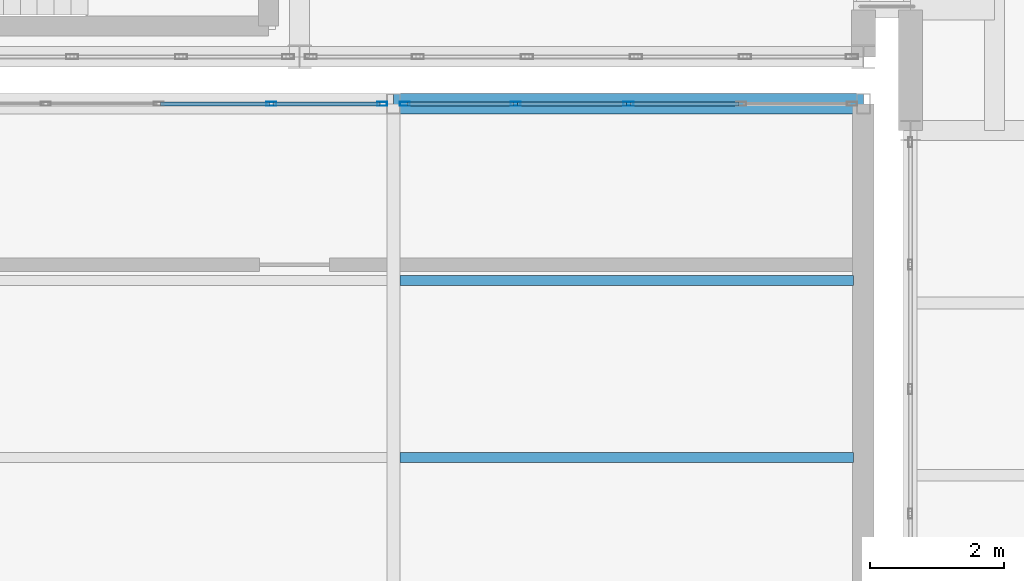
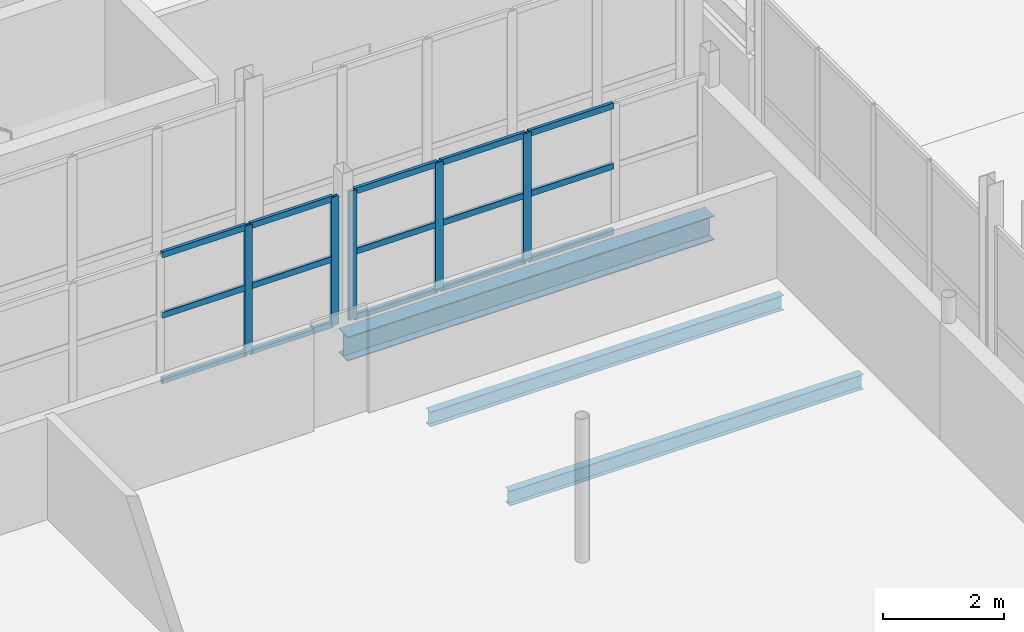
# One storey, part 104 of 218: 20 members, 3 beams, 2 elements without a shape of their own.
"""IFC4 building model written with IfcOpenShell, lengths in metres."""

from ifc_helpers import new_model, si_unit, direction, frame, origin, origin_2d, place, context, subcontext, project, spatial, hollow_rectangle, i_section, extrude, material, material_profile, profile_set, type_object, element, aggregate, save


model = new_model("IFC4")

# Units and contexts
model_context = context("Model", 3, precision=1e-05, world=origin(), true_north=direction((0.0, 1.0)))
body_context = subcontext(model_context, "Body", "Model", "MODEL_VIEW")
ifc_project = project(units=[si_unit("LENGTHUNIT", "METRE"), si_unit("AREAUNIT", "SQUARE_METRE"), si_unit("VOLUMEUNIT", "CUBIC_METRE"), si_unit("PLANEANGLEUNIT", "RADIAN"), si_unit("MASSUNIT", "GRAM", prefix="KILO")], contexts=[model_context])

# Site, building, storey
site_placement = place(None, origin())
site = spatial("IfcSite", under=ifc_project, at=site_placement, CompositionType="ELEMENT")
building_placement = place(site_placement, origin())
building = spatial("IfcBuilding", under=site, at=building_placement, Name="Kazenagashi Tramway Depot", CompositionType="ELEMENT")
storey_placement = place(building_placement, frame((0.0, 0.0, 6.0)))
storey = spatial("IfcBuildingStorey", under=building, at=storey_placement, Name="L02", CompositionType="ELEMENT", Elevation=6.0)

# Beams
ifc_material_1 = material(Name="Steel SN400B", Category="steel")
ifc_material_profile_1 = material_profile(ifc_material_1, i_section(OverallWidth=0.15, OverallDepth=0.3, WebThickness=0.0065, FlangeThickness=0.009, at=origin_2d()), Name="H-300x150x6.5x9")
ifc_profile_set_1 = profile_set([ifc_material_profile_1], Name="Steel SN400B")
beam_type_1 = type_object("IfcBeamType", Name="J-02", PredefinedType="JOIST", material=ifc_profile_set_1)
for number, where, z_axis, x_axis, name in (
    (1, (138.7, 10.533, -0.375), (1.0, 0.0, 0.0), (0.0, 1.0, 0.0), "Beam J-02 BM-1641"),
    (2, (138.7, 13.167, -0.375), (1.0, 0.0, 0.0), (0.0, 1.0, 0.0), "Beam J-02 BM-1642"),
):
    element("IfcBeam", number, at=place(storey_placement, frame(where, z_axis=z_axis, x_axis=x_axis)), inside=storey, type_object=beam_type_1, Name=name, PredefinedType="JOIST", context=body_context, shape_type="SweptSolid", body=[
        extrude(i_section(OverallWidth=0.15, OverallDepth=0.3, WebThickness=0.0065, FlangeThickness=0.009, at=origin_2d()), origin(), (0.0, 0.0, 1.0), 6.75),
    ])

# Curtain wall, members
ifc_material_2 = material(Name="Anodised Aluminium and Low-E Glazing", Category="aluminium")
curtain_wall_type = type_object("IfcCurtainWallType", Name="CW-32", PredefinedType="USERDEFINED", material=ifc_material_2)
curtain_wall_1_placement = place(storey_placement, origin())
curtain_wall_1 = element("IfcCurtainWall", 3, at=curtain_wall_1_placement, inside=storey, type_object=curtain_wall_type, Name="Industrial Glazed Screen CW-32 CW-0178", ObjectType="GLAZED SCREEN", PredefinedType="USERDEFINED")
ifc_material_3 = material(Name="Anodised Aluminium", Category="aluminium")
ifc_material_profile_2 = material_profile(ifc_material_3, hollow_rectangle(XDim=0.06, YDim=0.15, WallThickness=0.004, at=origin_2d()), Name="RHS-150x60x4")
ifc_profile_set_2 = profile_set([ifc_material_profile_2], Name="Anodised Aluminium")
member_type_1 = type_object("IfcMemberType", Name="ML-01", PredefinedType="MULLION", material=ifc_profile_set_2)
member_1_placement = place(storey_placement, frame((136.78, 15.8, 0.0), z_axis=(0.0, 0.0, 1.0), x_axis=(0.0, 1.0, 0.0)))
member_1 = element("IfcMember", 4, at=member_1_placement, type_object=member_type_1, Name="CW-32 mullion 4", PredefinedType="MULLION", context=body_context, shape_type="SweptSolid", body=[
    extrude(hollow_rectangle(XDim=0.06, YDim=0.15, WallThickness=0.004, at=origin_2d()), origin(), (0.0, 0.0, 1.0), 2.6),
])
member_2_placement = place(storey_placement, frame((138.43, 15.8, 0.0), z_axis=(0.0, 0.0, 1.0), x_axis=(0.0, 1.0, 0.0)))
member_2 = element("IfcMember", 5, at=member_2_placement, type_object=member_type_1, Name="CW-32 mullion 5", PredefinedType="MULLION", context=body_context, shape_type="SweptSolid", body=[
    extrude(hollow_rectangle(XDim=0.06, YDim=0.15, WallThickness=0.004, at=origin_2d()), origin(), (0.0, 0.0, 1.0), 2.6),
])

curtain_wall_2_placement = place(storey_placement, origin())
curtain_wall_2 = element("IfcCurtainWall", 6, at=curtain_wall_2_placement, inside=storey, type_object=curtain_wall_type, Name="Industrial Glazed Screen CW-32 CW-0179", ObjectType="GLAZED SCREEN", PredefinedType="USERDEFINED")
member_3_placement = place(storey_placement, frame((138.77, 15.8, 0.0), z_axis=(0.0, 0.0, 1.0), x_axis=(0.0, 1.0, 0.0)))
member_3 = element("IfcMember", 7, at=member_3_placement, type_object=member_type_1, Name="CW-32 mullion 1", PredefinedType="MULLION", context=body_context, shape_type="SweptSolid", body=[
    extrude(hollow_rectangle(XDim=0.06, YDim=0.15, WallThickness=0.004, at=origin_2d()), origin(), (0.0, 0.0, 1.0), 2.6),
])
member_4_placement = place(storey_placement, frame((140.42, 15.8, 0.0), z_axis=(0.0, 0.0, 1.0), x_axis=(0.0, 1.0, 0.0)))
member_4 = element("IfcMember", 8, at=member_4_placement, type_object=member_type_1, Name="CW-32 mullion 2", PredefinedType="MULLION", context=body_context, shape_type="SweptSolid", body=[
    extrude(hollow_rectangle(XDim=0.06, YDim=0.15, WallThickness=0.004, at=origin_2d()), origin(), (0.0, 0.0, 1.0), 2.6),
])
member_5_placement = place(storey_placement, frame((142.1, 15.8, 0.0), z_axis=(0.0, 0.0, 1.0), x_axis=(0.0, 1.0, 0.0)))
member_5 = element("IfcMember", 9, at=member_5_placement, type_object=member_type_1, Name="CW-32 mullion 3", PredefinedType="MULLION", context=body_context, shape_type="SweptSolid", body=[
    extrude(hollow_rectangle(XDim=0.06, YDim=0.15, WallThickness=0.004, at=origin_2d()), origin(), (0.0, 0.0, 1.0), 2.6),
])

# Beam
ifc_material_4 = material(Name="Steel SN490B", Category="steel")
ifc_material_profile_3 = material_profile(ifc_material_4, i_section(OverallWidth=0.3, OverallDepth=0.488, WebThickness=0.011, FlangeThickness=0.018, at=origin_2d()), Name="H-488x300x11x18")
ifc_profile_set_3 = profile_set([ifc_material_profile_3], Name="Steel SN490B")
beam_type_2 = type_object("IfcBeamType", Name="SP-02", PredefinedType="SPANDREL", material=ifc_profile_set_3)
beam_placement = place(storey_placement, frame((138.6, 15.8, -0.469), z_axis=(1.0, 0.0, 0.0), x_axis=(0.0, 1.0, 0.0)))
element("IfcBeam", 10, at=beam_placement, inside=storey, type_object=beam_type_2, Name="Beam SP-02 BM-1607", PredefinedType="SPANDREL", context=body_context, shape_type="SweptSolid", body=[
    extrude(i_section(OverallWidth=0.3, OverallDepth=0.488, WebThickness=0.011, FlangeThickness=0.018, at=origin_2d()), origin(), (0.0, 0.0, 1.0), 7.0),
])

# Member
ifc_material_profile_4 = material_profile(ifc_material_3, hollow_rectangle(XDim=0.06, YDim=0.12, WallThickness=0.004, at=origin_2d()), Name="RHS-120x60x4")
ifc_profile_set_4 = profile_set([ifc_material_profile_4], Name="Anodised Aluminium")
member_type_2 = type_object("IfcMemberType", Name="TR-01", PredefinedType="USERDEFINED", material=ifc_profile_set_4)
member_6_placement = place(storey_placement, frame((135.13, 15.8, 0.03), z_axis=(1.0, 0.0, 0.0), x_axis=(0.0, 1.0, 0.0)))
member_6 = element("IfcMember", 11, at=member_6_placement, type_object=member_type_2, Name="CW-32 transom 3.1", ObjectType="TRANSOM", PredefinedType="USERDEFINED", context=body_context, shape_type="SweptSolid", body=[
    extrude(hollow_rectangle(XDim=0.06, YDim=0.12, WallThickness=0.004, at=origin_2d()), origin(), (0.0, 0.0, 1.0), 1.62),
])

member_7_placement = place(storey_placement, frame((135.13, 15.8, 1.352), z_axis=(1.0, 0.0, 0.0), x_axis=(0.0, 1.0, 0.0)))
member_7 = element("IfcMember", 12, at=member_7_placement, type_object=member_type_2, Name="CW-32 transom 3.2", ObjectType="TRANSOM", PredefinedType="USERDEFINED", context=body_context, shape_type="SweptSolid", body=[
    extrude(hollow_rectangle(XDim=0.06, YDim=0.12, WallThickness=0.004, at=origin_2d()), origin(), (0.0, 0.0, 1.0), 1.62),
])

member_8_placement = place(storey_placement, frame((135.13, 15.8, 2.57), z_axis=(1.0, 0.0, 0.0), x_axis=(0.0, 1.0, 0.0)))
member_8 = element("IfcMember", 13, at=member_8_placement, type_object=member_type_2, Name="CW-32 transom 3.3", ObjectType="TRANSOM", PredefinedType="USERDEFINED", context=body_context, shape_type="SweptSolid", body=[
    extrude(hollow_rectangle(XDim=0.06, YDim=0.12, WallThickness=0.004, at=origin_2d()), origin(), (0.0, 0.0, 1.0), 1.62),
])

member_9_placement = place(storey_placement, frame((136.81, 15.8, 0.03), z_axis=(1.0, 0.0, 0.0), x_axis=(0.0, 1.0, 0.0)))
member_9 = element("IfcMember", 14, at=member_9_placement, type_object=member_type_2, Name="CW-32 transom 4.1", ObjectType="TRANSOM", PredefinedType="USERDEFINED", context=body_context, shape_type="SweptSolid", body=[
    extrude(hollow_rectangle(XDim=0.06, YDim=0.12, WallThickness=0.004, at=origin_2d()), origin(), (0.0, 0.0, 1.0), 1.59),
])

member_10_placement = place(storey_placement, frame((136.81, 15.8, 1.352), z_axis=(1.0, 0.0, 0.0), x_axis=(0.0, 1.0, 0.0)))
member_10 = element("IfcMember", 15, at=member_10_placement, type_object=member_type_2, Name="CW-32 transom 4.2", ObjectType="TRANSOM", PredefinedType="USERDEFINED", context=body_context, shape_type="SweptSolid", body=[
    extrude(hollow_rectangle(XDim=0.06, YDim=0.12, WallThickness=0.004, at=origin_2d()), origin(), (0.0, 0.0, 1.0), 1.59),
])

member_11_placement = place(storey_placement, frame((136.81, 15.8, 2.57), z_axis=(1.0, 0.0, 0.0), x_axis=(0.0, 1.0, 0.0)))
member_11 = element("IfcMember", 16, at=member_11_placement, type_object=member_type_2, Name="CW-32 transom 4.3", ObjectType="TRANSOM", PredefinedType="USERDEFINED", context=body_context, shape_type="SweptSolid", body=[
    extrude(hollow_rectangle(XDim=0.06, YDim=0.12, WallThickness=0.004, at=origin_2d()), origin(), (0.0, 0.0, 1.0), 1.59),
])

aggregate(curtain_wall_1, [member_1, member_2, member_6, member_7, member_8, member_9, member_10, member_11])

member_12_placement = place(storey_placement, frame((138.8, 15.8, 0.03), z_axis=(1.0, 0.0, 0.0), x_axis=(0.0, 1.0, 0.0)))
member_12 = element("IfcMember", 17, at=member_12_placement, type_object=member_type_2, Name="CW-32 transom 1.1", ObjectType="TRANSOM", PredefinedType="USERDEFINED", context=body_context, shape_type="SweptSolid", body=[
    extrude(hollow_rectangle(XDim=0.06, YDim=0.12, WallThickness=0.004, at=origin_2d()), origin(), (0.0, 0.0, 1.0), 1.59),
])

member_13_placement = place(storey_placement, frame((138.8, 15.8, 1.352), z_axis=(1.0, 0.0, 0.0), x_axis=(0.0, 1.0, 0.0)))
member_13 = element("IfcMember", 18, at=member_13_placement, type_object=member_type_2, Name="CW-32 transom 1.2", ObjectType="TRANSOM", PredefinedType="USERDEFINED", context=body_context, shape_type="SweptSolid", body=[
    extrude(hollow_rectangle(XDim=0.06, YDim=0.12, WallThickness=0.004, at=origin_2d()), origin(), (0.0, 0.0, 1.0), 1.59),
])

member_14_placement = place(storey_placement, frame((138.8, 15.8, 2.57), z_axis=(1.0, 0.0, 0.0), x_axis=(0.0, 1.0, 0.0)))
member_14 = element("IfcMember", 19, at=member_14_placement, type_object=member_type_2, Name="CW-32 transom 1.3", ObjectType="TRANSOM", PredefinedType="USERDEFINED", context=body_context, shape_type="SweptSolid", body=[
    extrude(hollow_rectangle(XDim=0.06, YDim=0.12, WallThickness=0.004, at=origin_2d()), origin(), (0.0, 0.0, 1.0), 1.59),
])

member_15_placement = place(storey_placement, frame((140.45, 15.8, 0.03), z_axis=(1.0, 0.0, 0.0), x_axis=(0.0, 1.0, 0.0)))
member_15 = element("IfcMember", 20, at=member_15_placement, type_object=member_type_2, Name="CW-32 transom 2.1", ObjectType="TRANSOM", PredefinedType="USERDEFINED", context=body_context, shape_type="SweptSolid", body=[
    extrude(hollow_rectangle(XDim=0.06, YDim=0.12, WallThickness=0.004, at=origin_2d()), origin(), (0.0, 0.0, 1.0), 1.62),
])

member_16_placement = place(storey_placement, frame((140.45, 15.8, 1.352), z_axis=(1.0, 0.0, 0.0), x_axis=(0.0, 1.0, 0.0)))
member_16 = element("IfcMember", 21, at=member_16_placement, type_object=member_type_2, Name="CW-32 transom 2.2", ObjectType="TRANSOM", PredefinedType="USERDEFINED", context=body_context, shape_type="SweptSolid", body=[
    extrude(hollow_rectangle(XDim=0.06, YDim=0.12, WallThickness=0.004, at=origin_2d()), origin(), (0.0, 0.0, 1.0), 1.62),
])

member_17_placement = place(storey_placement, frame((140.45, 15.8, 2.57), z_axis=(1.0, 0.0, 0.0), x_axis=(0.0, 1.0, 0.0)))
member_17 = element("IfcMember", 22, at=member_17_placement, type_object=member_type_2, Name="CW-32 transom 2.3", ObjectType="TRANSOM", PredefinedType="USERDEFINED", context=body_context, shape_type="SweptSolid", body=[
    extrude(hollow_rectangle(XDim=0.06, YDim=0.12, WallThickness=0.004, at=origin_2d()), origin(), (0.0, 0.0, 1.0), 1.62),
])

member_18_placement = place(storey_placement, frame((142.13, 15.8, 0.03), z_axis=(1.0, 0.0, 0.0), x_axis=(0.0, 1.0, 0.0)))
member_18 = element("IfcMember", 23, at=member_18_placement, type_object=member_type_2, Name="CW-32 transom 3.1", ObjectType="TRANSOM", PredefinedType="USERDEFINED", context=body_context, shape_type="SweptSolid", body=[
    extrude(hollow_rectangle(XDim=0.06, YDim=0.12, WallThickness=0.004, at=origin_2d()), origin(), (0.0, 0.0, 1.0), 1.62),
])

member_19_placement = place(storey_placement, frame((142.13, 15.8, 1.352), z_axis=(1.0, 0.0, 0.0), x_axis=(0.0, 1.0, 0.0)))
member_19 = element("IfcMember", 24, at=member_19_placement, type_object=member_type_2, Name="CW-32 transom 3.2", ObjectType="TRANSOM", PredefinedType="USERDEFINED", context=body_context, shape_type="SweptSolid", body=[
    extrude(hollow_rectangle(XDim=0.06, YDim=0.12, WallThickness=0.004, at=origin_2d()), origin(), (0.0, 0.0, 1.0), 1.62),
])

member_20_placement = place(storey_placement, frame((142.13, 15.8, 2.57), z_axis=(1.0, 0.0, 0.0), x_axis=(0.0, 1.0, 0.0)))
member_20 = element("IfcMember", 25, at=member_20_placement, type_object=member_type_2, Name="CW-32 transom 3.3", ObjectType="TRANSOM", PredefinedType="USERDEFINED", context=body_context, shape_type="SweptSolid", body=[
    extrude(hollow_rectangle(XDim=0.06, YDim=0.12, WallThickness=0.004, at=origin_2d()), origin(), (0.0, 0.0, 1.0), 1.62),
])

aggregate(curtain_wall_2, [member_3, member_4, member_5, member_12, member_13, member_14, member_15, member_16, member_17, member_18, member_19, member_20])

save(model, "model.ifc")
